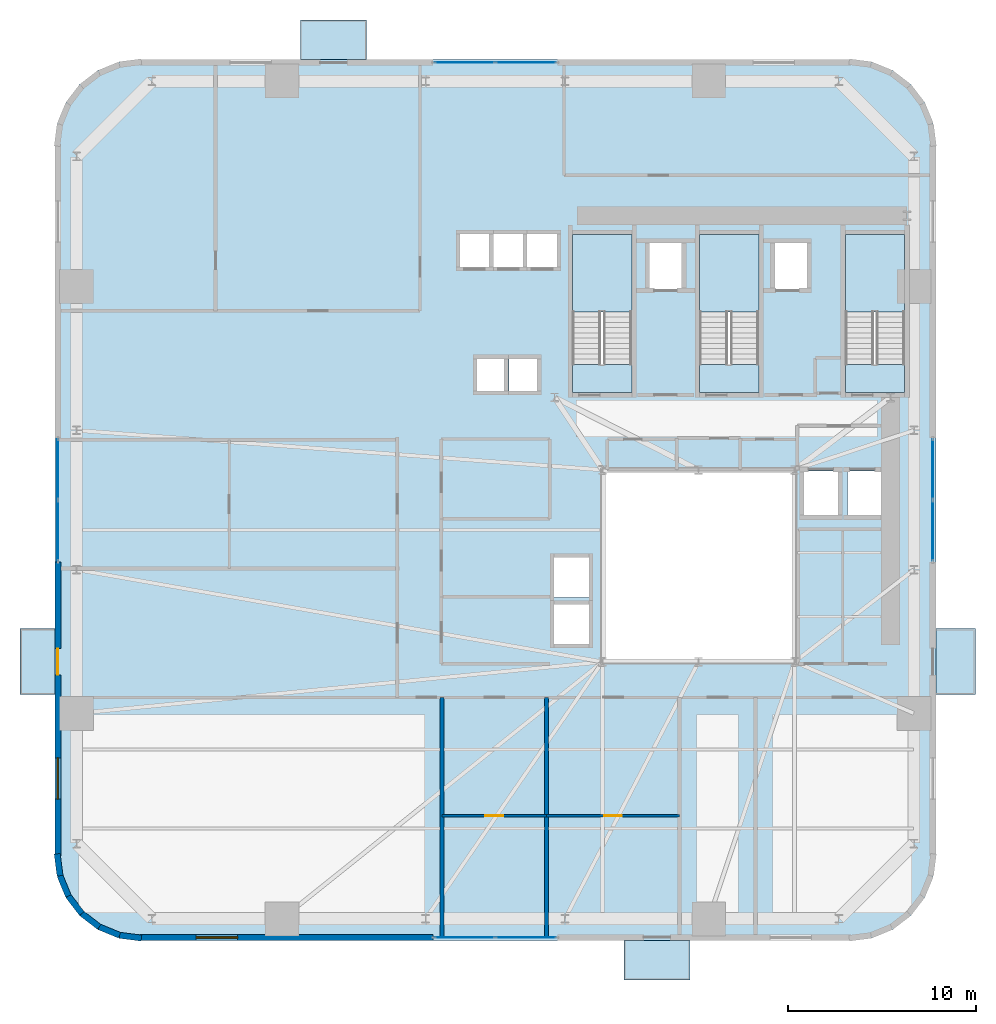
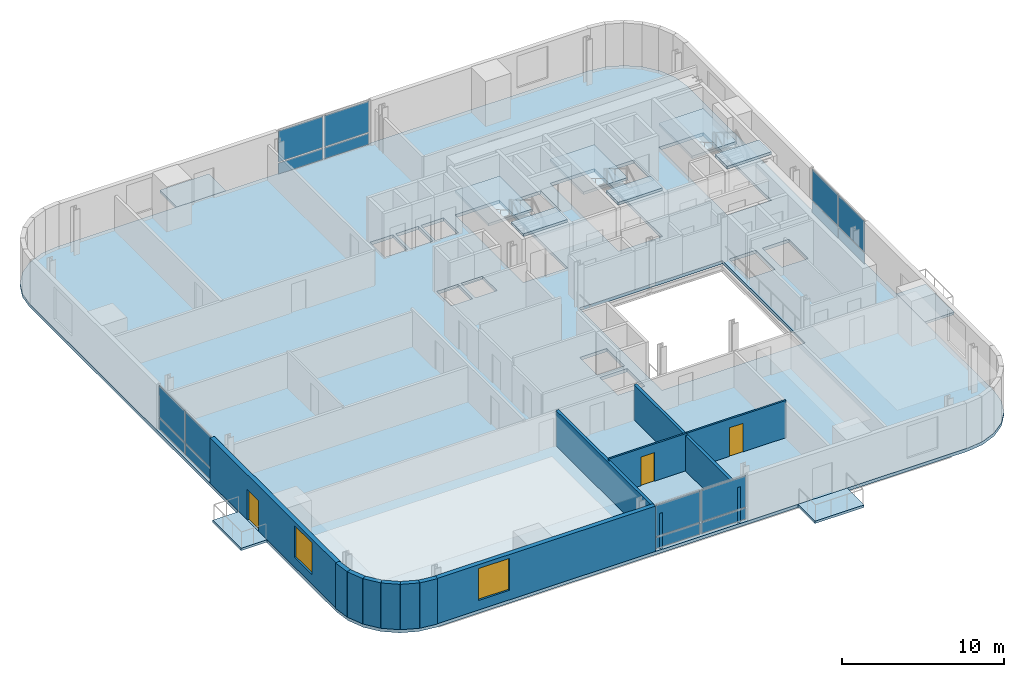
# One storey, part 5 of 13: 16 plates, 12 walls, 11 slabs, 3 doors, 2 windows, 5 openings, 7 elements without a shape of their own.
"""IFC4 building model written with IfcOpenShell, lengths in metres."""

from ifc_helpers import new_model, si_unit, direction, frame, frame_2d, origin, origin_2d, place, context, subcontext, project, spatial, polyline, rectangle, outline, extrude, source, transform, mapped, material, layer, layer_set, type_object, element, fill, aggregate, save


model = new_model("IFC4")

# Units and contexts
model_context = context("Model", 3, precision=1e-05, world=origin(), true_north=direction((0.0, 1.0)))
body_context = subcontext(model_context, "Body", "Model", "MODEL_VIEW")
ifc_project = project(units=[si_unit("LENGTHUNIT", "METRE"), si_unit("AREAUNIT", "SQUARE_METRE"), si_unit("VOLUMEUNIT", "CUBIC_METRE"), si_unit("PLANEANGLEUNIT", "RADIAN"), si_unit("MASSUNIT", "GRAM", prefix="KILO")], contexts=[model_context])

# Site, building, storey
site_placement = place(None, origin())
site = spatial("IfcSite", under=ifc_project, at=site_placement, CompositionType="ELEMENT")
building_placement = place(site_placement, origin())
building = spatial("IfcBuilding", under=site, at=building_placement, Name="Vardaveli Station Tower", CompositionType="ELEMENT")
storey_placement = place(building_placement, frame((0.0, 0.0, 67.75)))
storey = spatial("IfcBuildingStorey", under=building, at=storey_placement, Name="L17", CompositionType="ELEMENT", Elevation=67.75)

# Stair, slabs
ifc_material_1 = material(Name="Concrete C40/50", Category="concrete")
stair_type = type_object("IfcStairType", Name="STR-CORE-1500", PredefinedType="HALF_TURN_STAIR", material=ifc_material_1)
stair_1_placement = place(storey_placement, origin())
stair_1 = element("IfcStair", 1, at=stair_1_placement, inside=storey, type_object=stair_type, Name="L17 ST-1", PredefinedType="HALF_TURN_STAIR")
ifc_layer_1 = layer(ifc_material_1, 0.199951171875, Name="Concrete C40/50")
ifc_layer_set_1 = layer_set([ifc_layer_1], Name="Concrete C40/50")
slab_type_1 = type_object("IfcSlabType", Name="SLB-LAND-200", PredefinedType="LANDING", material=ifc_layer_set_1)
slab_1_placement = place(storey_placement, frame((0.0, 0.0, 1.625)))
slab_1 = element("IfcSlab", 2, at=slab_1_placement, type_object=slab_type_1, Name="ST-1 landing 1", PredefinedType="LANDING", context=body_context, shape_type="SweptSolid", body=[
    extrude(outline(polyline([(32.75, 35.199951171875), (32.75, 39.300048828125), (29.60009765625, 39.300048828125), (29.60009765625, 35.199951171875), (32.75, 35.199951171875)])), origin(), (0.0, 0.0, 1.0), 0.199951171875),
])
slab_2_placement = place(storey_placement, frame((0.0, 0.0, 3.449951171875)))
slab_2 = element("IfcSlab", 3, at=slab_2_placement, type_object=slab_type_1, Name="ST-1 landing 2", PredefinedType="LANDING", context=body_context, shape_type="SweptSolid", body=[
    extrude(outline(polyline([(32.75, 30.89990234375), (32.75, 32.39990234375), (29.60009765625, 32.39990234375), (29.60009765625, 30.89990234375), (32.75, 30.89990234375)])), origin(), (0.0, 0.0, 1.0), 0.199951171875),
])
aggregate(stair_1, [slab_1, slab_2])

stair_2_placement = place(storey_placement, origin())
stair_2 = element("IfcStair", 4, at=stair_2_placement, inside=storey, type_object=stair_type, Name="L17 ST-2", PredefinedType="HALF_TURN_STAIR")
slab_3_placement = place(storey_placement, frame((0.0, 0.0, 1.625)))
slab_3 = element("IfcSlab", 5, at=slab_3_placement, type_object=slab_type_1, Name="ST-2 landing 1", PredefinedType="LANDING", context=body_context, shape_type="SweptSolid", body=[
    extrude(outline(polyline([(39.5, 35.199951171875), (39.5, 39.300048828125), (36.35009765625, 39.300048828125), (36.35009765625, 35.199951171875), (39.5, 35.199951171875)])), origin(), (0.0, 0.0, 1.0), 0.199951171875),
])
slab_4_placement = place(storey_placement, frame((0.0, 0.0, 3.449951171875)))
slab_4 = element("IfcSlab", 6, at=slab_4_placement, type_object=slab_type_1, Name="ST-2 landing 2", PredefinedType="LANDING", context=body_context, shape_type="SweptSolid", body=[
    extrude(outline(polyline([(39.5, 30.89990234375), (39.5, 32.39990234375), (36.35009765625, 32.39990234375), (36.35009765625, 30.89990234375), (39.5, 30.89990234375)])), origin(), (0.0, 0.0, 1.0), 0.199951171875),
])
aggregate(stair_2, [slab_3, slab_4])

stair_3_placement = place(storey_placement, origin())
stair_3 = element("IfcStair", 7, at=stair_3_placement, inside=storey, type_object=stair_type, Name="L17 ST-3", PredefinedType="HALF_TURN_STAIR")
slab_5_placement = place(storey_placement, frame((0.0, 0.0, 1.625)))
slab_5 = element("IfcSlab", 8, at=slab_5_placement, type_object=slab_type_1, Name="ST-3 landing 1", PredefinedType="LANDING", context=body_context, shape_type="SweptSolid", body=[
    extrude(outline(polyline([(47.25, 35.199951171875), (47.25, 39.300048828125), (44.10009765625, 39.300048828125), (44.10009765625, 35.199951171875), (47.25, 35.199951171875)])), origin(), (0.0, 0.0, 1.0), 0.199951171875),
])
slab_6_placement = place(storey_placement, frame((0.0, 0.0, 3.449951171875)))
slab_6 = element("IfcSlab", 9, at=slab_6_placement, type_object=slab_type_1, Name="ST-3 landing 2", PredefinedType="LANDING", context=body_context, shape_type="SweptSolid", body=[
    extrude(outline(polyline([(47.25, 30.89990234375), (47.25, 32.39990234375), (44.10009765625, 32.39990234375), (44.10009765625, 30.89990234375), (47.25, 30.89990234375)])), origin(), (0.0, 0.0, 1.0), 0.199951171875),
])
aggregate(stair_3, [slab_5, slab_6])

# Slabs
ifc_material_2 = material(Name="Precast concrete C45/55", Category="concrete")
ifc_layer_2 = layer(ifc_material_2, 0.179931640625, Name="Precast concrete C45/55")
ifc_layer_set_2 = layer_set([ifc_layer_2], Name="Precast concrete C45/55")
slab_type_2 = type_object("IfcSlabType", Name="SLB-LOGGIA-180", PredefinedType="FLOOR", material=ifc_layer_set_2)
slab_7_placement = place(storey_placement, frame((0.0, 0.0, -0.179931640625)))
element("IfcSlab", 10, at=slab_7_placement, inside=storey, type_object=slab_type_2, Name="LOG-L17-S", PredefinedType="FLOOR", context=body_context, shape_type="SweptSolid", body=[
    extrude(outline(polyline([(32.339599609375, -0.300048828125), (35.839599609375, -0.300048828125), (35.839599609375, 1.800048828125), (32.339599609375, 1.800048828125), (32.339599609375, -0.300048828125)])), origin(), (0.0, 0.0, 1.0), 0.179931640625),
])
slab_8_placement = place(storey_placement, frame((0.0, 0.0, -0.179931640625)))
element("IfcSlab", 11, at=slab_8_placement, inside=storey, type_object=slab_type_2, Name="LOG-L17-N", PredefinedType="FLOOR", context=body_context, shape_type="SweptSolid", body=[
    extrude(outline(polyline([(15.160400390625, 48.60009765625), (18.660400390625, 48.60009765625), (18.660400390625, 50.699951171875), (15.160400390625, 50.699951171875), (15.160400390625, 48.60009765625)])), origin(), (0.0, 0.0, 1.0), 0.179931640625),
])
slab_9_placement = place(storey_placement, frame((0.0, 0.0, -0.179931640625)))
element("IfcSlab", 12, at=slab_9_placement, inside=storey, type_object=slab_type_2, Name="LOG-L17-W", PredefinedType="FLOOR", context=body_context, shape_type="SweptSolid", body=[
    extrude(outline(polyline([(0.25, 14.8603515625), (2.10009765625, 14.8603515625), (2.10009765625, 18.3603515625), (0.25, 18.3603515625), (0.25, 14.8603515625)])), origin(), (0.0, 0.0, 1.0), 0.179931640625),
])
slab_10_placement = place(storey_placement, frame((0.0, 0.0, -0.179931640625)))
element("IfcSlab", 13, at=slab_10_placement, inside=storey, type_object=slab_type_2, Name="LOG-L17-E", PredefinedType="FLOOR", context=body_context, shape_type="SweptSolid", body=[
    extrude(outline(polyline([(48.89990234375, 14.8603515625), (51.0, 14.8603515625), (51.0, 18.3603515625), (48.89990234375, 18.3603515625), (48.89990234375, 14.8603515625)])), origin(), (0.0, 0.0, 1.0), 0.179931640625),
])
ifc_layer_3 = layer(ifc_material_1, 0.239990234375, Name="Concrete C40/50")
ifc_layer_set_3 = layer_set([ifc_layer_3], Name="Concrete C40/50")
slab_type_3 = type_object("IfcSlabType", Name="SLB-TOW-240", PredefinedType="FLOOR", material=ifc_layer_set_3)
slab_11_placement = place(storey_placement, frame((0.0, 0.0, -0.239990234375)))
element("IfcSlab", 14, at=slab_11_placement, inside=storey, type_object=slab_type_3, Name="SLB-L17-MAIN", PredefinedType="FLOOR", context=body_context, shape_type="SweptSolid", body=[
    extrude(outline(polyline([(2.10009765625, 6.300048828125), (2.25341796875, 5.13525390625), (2.702880859375, 4.050048828125), (3.41796875, 3.117919921875), (4.35009765625, 2.40283203125), (5.435302734375, 1.953369140625), (6.60009765625, 1.800048828125), (44.39990234375, 1.800048828125), (45.564697265625, 1.953369140625), (46.64990234375, 2.40283203125), (47.58203125, 3.117919921875), (48.297119140625, 4.050048828125), (48.74658203125, 5.13525390625), (48.89990234375, 6.300048828125), (48.89990234375, 44.10009765625), (48.74658203125, 45.2646484375), (48.297119140625, 46.35009765625), (47.58203125, 47.281982421875), (46.64990234375, 47.9970703125), (45.564697265625, 48.44677734375), (44.39990234375, 48.60009765625), (6.60009765625, 48.60009765625), (5.435302734375, 48.44677734375), (4.35009765625, 47.9970703125), (3.41796875, 47.281982421875), (2.702880859375, 46.35009765625), (2.25341796875, 45.2646484375), (2.10009765625, 44.10009765625), (2.10009765625, 6.300048828125)]), holes=[polyline([(31.199951171875, 16.60009765625), (41.39990234375, 16.60009765625), (41.39990234375, 26.800048828125), (31.199951171875, 26.800048828125), (31.199951171875, 16.60009765625)]), polyline([(32.75, 30.89990234375), (32.75, 39.300048828125), (29.60009765625, 39.300048828125), (29.60009765625, 30.89990234375), (32.75, 30.89990234375)]), polyline([(39.5, 30.89990234375), (39.5, 39.300048828125), (36.35009765625, 39.300048828125), (36.35009765625, 30.89990234375), (39.5, 30.89990234375)]), polyline([(47.25, 30.89990234375), (47.25, 39.300048828125), (44.10009765625, 39.300048828125), (44.10009765625, 30.89990234375), (47.25, 30.89990234375)]), polyline([(23.5849609375, 37.534912109375), (25.215087890625, 37.534912109375), (25.215087890625, 39.364990234375), (23.5849609375, 39.364990234375), (23.5849609375, 37.534912109375)]), polyline([(25.385009765625, 37.534912109375), (27.014892578125, 37.534912109375), (27.014892578125, 39.364990234375), (25.385009765625, 39.364990234375), (25.385009765625, 37.534912109375)]), polyline([(27.18505859375, 37.534912109375), (28.81494140625, 37.534912109375), (28.81494140625, 39.364990234375), (27.18505859375, 39.364990234375), (27.18505859375, 37.534912109375)]), polyline([(33.659912109375, 36.409912109375), (35.43994140625, 36.409912109375), (35.43994140625, 38.889892578125), (33.659912109375, 38.889892578125), (33.659912109375, 36.409912109375)]), polyline([(40.31005859375, 36.409912109375), (42.090087890625, 36.409912109375), (42.090087890625, 38.889892578125), (40.31005859375, 38.889892578125), (40.31005859375, 36.409912109375)]), polyline([(24.485107421875, 30.9599609375), (26.014892578125, 30.9599609375), (26.014892578125, 32.739990234375), (24.485107421875, 32.739990234375), (24.485107421875, 30.9599609375)]), polyline([(26.235107421875, 30.9599609375), (27.764892578125, 30.9599609375), (27.764892578125, 32.739990234375), (26.235107421875, 32.739990234375), (26.235107421875, 30.9599609375)]), polyline([(28.5849609375, 17.510009765625), (30.514892578125, 17.510009765625), (30.514892578125, 19.68994140625), (28.5849609375, 19.68994140625), (28.5849609375, 17.510009765625)]), polyline([(28.5849609375, 20.010009765625), (30.514892578125, 20.010009765625), (30.514892578125, 22.18994140625), (28.5849609375, 22.18994140625), (28.5849609375, 20.010009765625)]), polyline([(41.860107421875, 24.360107421875), (43.739990234375, 24.360107421875), (43.739990234375, 26.739990234375), (41.860107421875, 26.739990234375), (41.860107421875, 24.360107421875)]), polyline([(44.2099609375, 24.360107421875), (46.090087890625, 24.360107421875), (46.090087890625, 26.739990234375), (44.2099609375, 26.739990234375), (44.2099609375, 24.360107421875)])]), origin(), (0.0, 0.0, 1.0), 0.239990234375),
])

# Curtain wall, plates
ifc_material_3 = material(Name="Travertine stone and solar-control glass", Category="masonry")
curtain_wall_type = type_object("IfcCurtainWallType", Name="CW-SYS-2", PredefinedType="NOTDEFINED", material=ifc_material_3)
curtain_wall_1_placement = place(storey_placement, origin())
curtain_wall_1 = element("IfcCurtainWall", 15, at=curtain_wall_1_placement, inside=storey, type_object=curtain_wall_type, Name="CW-L17-S", PredefinedType="NOTDEFINED")
ifc_material_4 = material(Name="Double-glazed low-E solar-control glass", Category="glass")
ifc_layer_4 = layer(ifc_material_4, 0.035888671875, Name="Double-glazed low-E solar-control glass")
ifc_layer_set_4 = layer_set([ifc_layer_4], Name="Double-glazed low-E solar-control glass")
plate_type = type_object("IfcPlateType", Name="CW-SYS-2-PAN", PredefinedType="CURTAIN_PANEL", material=ifc_layer_set_4)
shared_shape_1 = source(origin(), body_context, "Body", "SweptSolid", [
    extrude(rectangle(XDim=3.172607421875, YDim=0.035888671875, at=origin_2d()), origin(), (0.0, 0.0, 1.0), 0.822509765625),
])
plate_1_placement = place(storey_placement, frame((23.871337890625, 1.9599609375, 0.0849609375), z_axis=(0.0, 0.0, 1.0), x_axis=(1.0, 0.0, 0.0)))
plate_1 = element("IfcPlate", 16, at=plate_1_placement, type_object=plate_type, Name="CW-2 panel 1.1", PredefinedType="CURTAIN_PANEL", context=body_context, shape_type="MappedRepresentation", body=[
    mapped(shared_shape_1, transform((0.0, 0.0, 0.0), scale=1.0)),
])
plate_2_placement = place(storey_placement, frame((27.128662109375, 1.9599609375, 0.0849609375), z_axis=(0.0, 0.0, 1.0), x_axis=(1.0, 0.0, 0.0)))
plate_2 = element("IfcPlate", 17, at=plate_2_placement, type_object=plate_type, Name="CW-2 panel 2.1", PredefinedType="CURTAIN_PANEL", context=body_context, shape_type="MappedRepresentation", body=[
    mapped(shared_shape_1, transform((0.0, 0.0, 0.0), scale=1.0)),
])

curtain_wall_2_placement = place(storey_placement, origin())
curtain_wall_2 = element("IfcCurtainWall", 18, at=curtain_wall_2_placement, inside=storey, type_object=curtain_wall_type, Name="CW-L17-N", PredefinedType="NOTDEFINED")
plate_3_placement = place(storey_placement, frame((27.128662109375, 48.43994140625, 0.0849609375), z_axis=(0.0, 0.0, 1.0), x_axis=(-1.0, 0.0, 0.0)))
plate_3 = element("IfcPlate", 19, at=plate_3_placement, type_object=plate_type, Name="CW-2 panel 1.1", PredefinedType="CURTAIN_PANEL", context=body_context, shape_type="MappedRepresentation", body=[
    mapped(shared_shape_1, transform((0.0, 0.0, 0.0), scale=1.0)),
])
plate_4_placement = place(storey_placement, frame((23.871337890625, 48.43994140625, 0.0849609375), z_axis=(0.0, 0.0, 1.0), x_axis=(-1.0, 0.0, 0.0)))
plate_4 = element("IfcPlate", 20, at=plate_4_placement, type_object=plate_type, Name="CW-2 panel 2.1", PredefinedType="CURTAIN_PANEL", context=body_context, shape_type="MappedRepresentation", body=[
    mapped(shared_shape_1, transform((0.0, 0.0, 0.0), scale=1.0)),
])

curtain_wall_3_placement = place(storey_placement, origin())
curtain_wall_3 = element("IfcCurtainWall", 21, at=curtain_wall_3_placement, inside=storey, type_object=curtain_wall_type, Name="CW-L17-W", PredefinedType="NOTDEFINED")
plate_5_placement = place(storey_placement, frame((2.260009765625, 26.828857421875, 0.0849609375), z_axis=(0.0, 0.0, 1.0), x_axis=(0.0, -1.0, 0.0)))
plate_5 = element("IfcPlate", 22, at=plate_5_placement, type_object=plate_type, Name="CW-2 panel 1.1", PredefinedType="CURTAIN_PANEL", context=body_context, shape_type="MappedRepresentation", body=[
    mapped(shared_shape_1, transform((0.0, 0.0, 0.0), scale=1.0)),
])
plate_6_placement = place(storey_placement, frame((2.260009765625, 23.5712890625, 0.0849609375), z_axis=(0.0, 0.0, 1.0), x_axis=(0.0, -1.0, 0.0)))
plate_6 = element("IfcPlate", 23, at=plate_6_placement, type_object=plate_type, Name="CW-2 panel 2.1", PredefinedType="CURTAIN_PANEL", context=body_context, shape_type="MappedRepresentation", body=[
    mapped(shared_shape_1, transform((0.0, 0.0, 0.0), scale=1.0)),
])

curtain_wall_4_placement = place(storey_placement, origin())
curtain_wall_4 = element("IfcCurtainWall", 24, at=curtain_wall_4_placement, inside=storey, type_object=curtain_wall_type, Name="CW-L17-E", PredefinedType="NOTDEFINED")
plate_7_placement = place(storey_placement, frame((48.739990234375, 23.5712890625, 0.0849609375), z_axis=(0.0, 0.0, 1.0), x_axis=(0.0, 1.0, 0.0)))
plate_7 = element("IfcPlate", 25, at=plate_7_placement, type_object=plate_type, Name="CW-2 panel 1.1", PredefinedType="CURTAIN_PANEL", context=body_context, shape_type="MappedRepresentation", body=[
    mapped(shared_shape_1, transform((0.0, 0.0, 0.0), scale=1.0)),
])
plate_8_placement = place(storey_placement, frame((48.739990234375, 26.828857421875, 0.0849609375), z_axis=(0.0, 0.0, 1.0), x_axis=(0.0, 1.0, 0.0)))
plate_8 = element("IfcPlate", 26, at=plate_8_placement, type_object=plate_type, Name="CW-2 panel 2.1", PredefinedType="CURTAIN_PANEL", context=body_context, shape_type="MappedRepresentation", body=[
    mapped(shared_shape_1, transform((0.0, 0.0, 0.0), scale=1.0)),
])

# Plate
shared_shape_2 = source(origin(), body_context, "Body", "SweptSolid", [
    extrude(rectangle(XDim=3.172607421875, YDim=0.035888671875, at=origin_2d()), origin(), (0.0, 0.0, 1.0), 2.33251953125),
])
plate_9_placement = place(storey_placement, frame((23.871337890625, 1.9599609375, 0.992431640625), z_axis=(0.0, 0.0, 1.0), x_axis=(1.0, 0.0, 0.0)))
plate_9 = element("IfcPlate", 27, at=plate_9_placement, type_object=plate_type, Name="CW-2 panel 1.2", PredefinedType="CURTAIN_PANEL", context=body_context, shape_type="MappedRepresentation", body=[
    mapped(shared_shape_2, transform((0.0, 0.0, 0.0), scale=1.0)),
])

plate_10_placement = place(storey_placement, frame((27.128662109375, 1.9599609375, 0.992431640625), z_axis=(0.0, 0.0, 1.0), x_axis=(1.0, 0.0, 0.0)))
plate_10 = element("IfcPlate", 28, at=plate_10_placement, type_object=plate_type, Name="CW-2 panel 2.2", PredefinedType="CURTAIN_PANEL", context=body_context, shape_type="MappedRepresentation", body=[
    mapped(shared_shape_2, transform((0.0, 0.0, 0.0), scale=1.0)),
])

aggregate(curtain_wall_1, [plate_1, plate_9, plate_2, plate_10])

plate_11_placement = place(storey_placement, frame((27.128662109375, 48.43994140625, 0.992431640625), z_axis=(0.0, 0.0, 1.0), x_axis=(-1.0, 0.0, 0.0)))
plate_11 = element("IfcPlate", 29, at=plate_11_placement, type_object=plate_type, Name="CW-2 panel 1.2", PredefinedType="CURTAIN_PANEL", context=body_context, shape_type="MappedRepresentation", body=[
    mapped(shared_shape_2, transform((0.0, 0.0, 0.0), scale=1.0)),
])

plate_12_placement = place(storey_placement, frame((23.871337890625, 48.43994140625, 0.992431640625), z_axis=(0.0, 0.0, 1.0), x_axis=(-1.0, 0.0, 0.0)))
plate_12 = element("IfcPlate", 30, at=plate_12_placement, type_object=plate_type, Name="CW-2 panel 2.2", PredefinedType="CURTAIN_PANEL", context=body_context, shape_type="MappedRepresentation", body=[
    mapped(shared_shape_2, transform((0.0, 0.0, 0.0), scale=1.0)),
])

aggregate(curtain_wall_2, [plate_3, plate_11, plate_4, plate_12])

plate_13_placement = place(storey_placement, frame((2.260009765625, 26.828857421875, 0.992431640625), z_axis=(0.0, 0.0, 1.0), x_axis=(0.0, -1.0, 0.0)))
plate_13 = element("IfcPlate", 31, at=plate_13_placement, type_object=plate_type, Name="CW-2 panel 1.2", PredefinedType="CURTAIN_PANEL", context=body_context, shape_type="MappedRepresentation", body=[
    mapped(shared_shape_2, transform((0.0, 0.0, 0.0), scale=1.0)),
])

plate_14_placement = place(storey_placement, frame((2.260009765625, 23.5712890625, 0.992431640625), z_axis=(0.0, 0.0, 1.0), x_axis=(0.0, -1.0, 0.0)))
plate_14 = element("IfcPlate", 32, at=plate_14_placement, type_object=plate_type, Name="CW-2 panel 2.2", PredefinedType="CURTAIN_PANEL", context=body_context, shape_type="MappedRepresentation", body=[
    mapped(shared_shape_2, transform((0.0, 0.0, 0.0), scale=1.0)),
])

aggregate(curtain_wall_3, [plate_5, plate_13, plate_6, plate_14])

plate_15_placement = place(storey_placement, frame((48.739990234375, 23.5712890625, 0.992431640625), z_axis=(0.0, 0.0, 1.0), x_axis=(0.0, 1.0, 0.0)))
plate_15 = element("IfcPlate", 33, at=plate_15_placement, type_object=plate_type, Name="CW-2 panel 1.2", PredefinedType="CURTAIN_PANEL", context=body_context, shape_type="MappedRepresentation", body=[
    mapped(shared_shape_2, transform((0.0, 0.0, 0.0), scale=1.0)),
])

plate_16_placement = place(storey_placement, frame((48.739990234375, 26.828857421875, 0.992431640625), z_axis=(0.0, 0.0, 1.0), x_axis=(0.0, 1.0, 0.0)))
plate_16 = element("IfcPlate", 34, at=plate_16_placement, type_object=plate_type, Name="CW-2 panel 2.2", PredefinedType="CURTAIN_PANEL", context=body_context, shape_type="MappedRepresentation", body=[
    mapped(shared_shape_2, transform((0.0, 0.0, 0.0), scale=1.0)),
])

aggregate(curtain_wall_4, [plate_7, plate_15, plate_8, plate_16])

# Wall, opening, window
ifc_layer_5 = layer(ifc_material_2, 0.320068359375, Name="Precast concrete C45/55")
ifc_layer_set_5 = layer_set([ifc_layer_5], Name="Precast concrete C45/55")
wall_type_1 = type_object("IfcWallType", Name="WAL-EXT-STONE-320", PredefinedType="SOLIDWALL", material=ifc_layer_set_5)
shared_shape_3 = source(origin(), body_context, "Body", "SweptSolid", [
    extrude(rectangle(XDim=15.599853515625, YDim=0.320068359375, at=frame_2d((7.7998046875, 0.0))), origin(), (0.0, 0.0, 1.0), 3.409912109375),
])
wall_1_placement = place(storey_placement, frame((6.60009765625, 1.9599609375, 0.0), z_axis=(0.0, 0.0, 1.0), x_axis=(1.0, 0.0, 0.0)))
wall_1 = element("IfcWall", 35, at=wall_1_placement, inside=storey, type_object=wall_type_1, Name="EW-L17-S1", PredefinedType="SOLIDWALL", context=body_context, shape_type="MappedRepresentation", body=[
    mapped(shared_shape_3, transform((0.0, 0.0, 0.0), scale=1.0)),
])
shared_shape_4 = source(origin(), body_context, "Body", "SweptSolid", [
    extrude(rectangle(XDim=2.199951171875, YDim=2.39990234375, at=frame_2d((1.10009765625, 1.199951171875))), frame((0.0, 0.169921875, 0.0), z_axis=(0.0, -1.0, 0.0), x_axis=(1.0, 0.0, 0.0)), (0.0, 0.0, 1.0), 0.340087890625),
])
opening_1_placement = place(wall_1_placement, frame((3.0048828125, 0.0, 0.719970703125)))
opening_1 = element("IfcOpeningElement", 36, at=opening_1_placement, cuts=wall_1, Name="Opening W-03", PredefinedType="OPENING", context=body_context, shape_type="MappedRepresentation", body=[
    mapped(shared_shape_4, transform((0.0, 0.0, 0.0), scale=1.0)),
])
ifc_material_5 = material(Name="Low-E solar-control glass", Category="glass")
window_type = type_object("IfcWindowType", Name="WIN-LOG-2200x2400", PartitioningType="SINGLE_PANEL", PredefinedType="WINDOW", material=ifc_material_5)
shared_shape_5 = source(origin(), body_context, "Body", "SweptSolid", [
    extrude(rectangle(XDim=2.199951171875, YDim=2.39990234375, at=frame_2d((1.10009765625, 1.199951171875))), frame((0.0, 0.030029296875, 0.0), z_axis=(0.0, -1.0, 0.0), x_axis=(1.0, 0.0, 0.0)), (0.0, 0.0, 1.0), 0.06005859375),
])
window_1_placement = place(opening_1_placement, origin())
window_1 = element("IfcWindow", 37, at=window_1_placement, inside=storey, type_object=window_type, Name="WN-L17-S1", OverallHeight=2.39990234375, OverallWidth=2.199951171875, PartitioningType="SINGLE_PANEL", PredefinedType="WINDOW", context=body_context, shape_type="MappedRepresentation", body=[
    mapped(shared_shape_5, transform((0.0, 0.0, 0.0), scale=1.0)),
])
fill(opening_1, window_1)

# Wall, openings, door, window
wall_2_placement = place(storey_placement, frame((2.260009765625, 21.89990234375, 0.0), z_axis=(0.0, 0.0, 1.0), x_axis=(0.0, -1.0, 0.0)))
wall_2 = element("IfcWall", 38, at=wall_2_placement, inside=storey, type_object=wall_type_1, Name="EW-L17-W2", PredefinedType="SOLIDWALL", context=body_context, shape_type="MappedRepresentation", body=[
    mapped(shared_shape_3, transform((0.0, 0.0, 0.0), scale=1.0)),
])
shared_shape_6 = source(origin(), body_context, "Body", "SweptSolid", [
    extrude(rectangle(XDim=1.39990234375, YDim=2.300048828125, at=frame_2d((0.699951171875, 1.14990234375))), frame((0.0, 0.169921875, 0.0), z_axis=(0.0, -1.0, 0.0), x_axis=(1.0, 0.0, 0.0)), (0.0, 0.0, 1.0), 0.340087890625),
])
opening_2_placement = place(wall_2_placement, frame((4.589599609375, 0.0, 0.0)))
opening_2 = element("IfcOpeningElement", 39, at=opening_2_placement, cuts=wall_2, Name="Opening D-09", PredefinedType="OPENING", context=body_context, shape_type="MappedRepresentation", body=[
    mapped(shared_shape_6, transform((0.0, 0.0, 0.0), scale=1.0)),
])
opening_3_placement = place(wall_2_placement, frame((10.39501953125, 0.0, 0.719970703125)))
opening_3 = element("IfcOpeningElement", 40, at=opening_3_placement, cuts=wall_2, Name="Opening W-03", PredefinedType="OPENING", context=body_context, shape_type="MappedRepresentation", body=[
    mapped(shared_shape_4, transform((0.0, 0.0, 0.0), scale=1.0)),
])
ifc_material_6 = material(Name="Thermally broken aluminium glass", Category="aluminium")
door_type_1 = type_object("IfcDoorType", Name="DR-LOG-1400x2300", OperationType="DOUBLE_DOOR_SLIDING", PredefinedType="DOOR", material=ifc_material_6)
shared_shape_7 = source(origin(), body_context, "Body", "SweptSolid", [
    extrude(rectangle(XDim=1.39990234375, YDim=2.300048828125, at=frame_2d((0.699951171875, 1.14990234375))), frame((0.0, 0.02490234375, 0.0), z_axis=(0.0, -1.0, 0.0), x_axis=(1.0, 0.0, 0.0)), (0.0, 0.0, 1.0), 0.050048828125),
])
door_1_placement = place(opening_2_placement, frame((1.39990234375, 0.0, 0.0), z_axis=(0.0, 0.0, 1.0), x_axis=(-1.0, 0.0, 0.0)))
door_1 = element("IfcDoor", 41, at=door_1_placement, inside=storey, type_object=door_type_1, Name="DLG-L17-W", OperationType="DOUBLE_DOOR_SLIDING", OverallHeight=2.300048828125, OverallWidth=1.39990234375, PredefinedType="DOOR", context=body_context, shape_type="MappedRepresentation", body=[
    mapped(shared_shape_7, transform((0.0, 0.0, 0.0), scale=1.0)),
])
fill(opening_2, door_1)
window_2_placement = place(opening_3_placement, origin())
window_2 = element("IfcWindow", 42, at=window_2_placement, inside=storey, type_object=window_type, Name="WN-L17-W2", OverallHeight=2.39990234375, OverallWidth=2.199951171875, PartitioningType="SINGLE_PANEL", PredefinedType="WINDOW", context=body_context, shape_type="MappedRepresentation", body=[
    mapped(shared_shape_5, transform((0.0, 0.0, 0.0), scale=1.0)),
])
fill(opening_3, window_2)

# Walls
shared_shape_8 = source(origin(), body_context, "Body", "SweptSolid", [
    extrude(rectangle(XDim=1.170654296875, YDim=0.320068359375, at=frame_2d((0.58544921875, 0.0))), origin(), (0.0, 0.0, 1.0), 3.409912109375),
])
wall_3_placement = place(storey_placement, frame((2.224365234375, 6.400634765625, 0.0), z_axis=(0.0, 0.0, 1.0), x_axis=(0.128269133229, -0.991739395941, 0.0)))
element("IfcWall", 43, at=wall_3_placement, inside=storey, type_object=wall_type_1, Name="EW-L17-CR1-1", PredefinedType="SOLIDWALL", context=body_context, shape_type="MappedRepresentation", body=[
    mapped(shared_shape_8, transform((0.0, 0.0, 0.0), scale=1.0)),
])
shared_shape_9 = source(origin(), body_context, "Body", "SweptSolid", [
    extrude(rectangle(XDim=1.1689453125, YDim=0.320068359375, at=frame_2d((0.58447265625, 0.0))), origin(), (0.0, 0.0, 1.0), 3.409912109375),
])
for number, where, z_axis, x_axis, name in (
    (44, (2.37451171875, 5.23974609375, 0.0), (0.0, 0.0, 1.0), (0.381127904695, -0.924522320046, 0.0), "EW-L17-CR1-2"),
    (45, (2.820068359375, 4.158935546875, 0.0), (0.0, 0.0, 1.0), (0.608387696831, -0.793639975269, 0.0), "EW-L17-CR1-3"),
):
    element("IfcWall", number, at=place(storey_placement, frame(where, z_axis=z_axis, x_axis=x_axis)), inside=storey, type_object=wall_type_1, Name=name, PredefinedType="SOLIDWALL", context=body_context, shape_type="MappedRepresentation", body=[
        mapped(shared_shape_9, transform((0.0, 0.0, 0.0), scale=1.0)),
    ])
shared_shape_10 = source(origin(), body_context, "Body", "SweptSolid", [
    extrude(rectangle(XDim=1.168701171875, YDim=0.320068359375, at=frame_2d((0.58447265625, 0.0))), origin(), (0.0, 0.0, 1.0), 3.409912109375),
])
wall_4_placement = place(storey_placement, frame((3.53125, 3.231201171875, 0.0), z_axis=(0.0, 0.0, 1.0), x_axis=(0.793663520347, -0.608356981114, 0.0)))
element("IfcWall", 46, at=wall_4_placement, inside=storey, type_object=wall_type_1, Name="EW-L17-CR1-4", PredefinedType="SOLIDWALL", context=body_context, shape_type="MappedRepresentation", body=[
    mapped(shared_shape_10, transform((0.0, 0.0, 0.0), scale=1.0)),
])
shared_shape_11 = source(origin(), body_context, "Body", "SweptSolid", [
    extrude(rectangle(XDim=1.16943359375, YDim=0.320068359375, at=frame_2d((0.584716796875, 0.0))), origin(), (0.0, 0.0, 1.0), 3.409912109375),
])
wall_5_placement = place(storey_placement, frame((4.458740234375, 2.520263671875, 0.0), z_axis=(0.0, 0.0, 1.0), x_axis=(0.924479075121, -0.381232789334, 0.0)))
element("IfcWall", 47, at=wall_5_placement, inside=storey, type_object=wall_type_1, Name="EW-L17-CR1-5", PredefinedType="SOLIDWALL", context=body_context, shape_type="MappedRepresentation", body=[
    mapped(shared_shape_11, transform((0.0, 0.0, 0.0), scale=1.0)),
])
shared_shape_12 = source(origin(), body_context, "Body", "SweptSolid", [
    extrude(rectangle(XDim=1.170166015625, YDim=0.320068359375, at=frame_2d((0.5849609375, 0.0))), origin(), (0.0, 0.0, 1.0), 3.409912109375),
])
wall_6_placement = place(storey_placement, frame((5.539794921875, 2.074462890625, 0.0), z_axis=(0.0, 0.0, 1.0), x_axis=(0.991762485493, -0.128090485085, 0.0)))
element("IfcWall", 48, at=wall_6_placement, inside=storey, type_object=wall_type_1, Name="EW-L17-CR1-6", PredefinedType="SOLIDWALL", context=body_context, shape_type="MappedRepresentation", body=[
    mapped(shared_shape_12, transform((0.0, 0.0, 0.0), scale=1.0)),
])
ifc_material_7 = material(Name="Acoustic twin-stud gypsum partition")
ifc_layer_6 = layer(ifc_material_7, 0.199951171875, Name="Acoustic twin-stud gypsum partition")
ifc_layer_set_6 = layer_set([ifc_layer_6], Name="Acoustic twin-stud gypsum partition")
wall_type_2 = type_object("IfcWallType", Name="WAL-PARTY-200", PredefinedType="PARTITIONING", material=ifc_layer_set_6)
shared_shape_13 = source(origin(), body_context, "Body", "SweptSolid", [
    extrude(rectangle(XDim=12.780029296875, YDim=0.199951171875, at=frame_2d((6.39013671875, 0.0))), origin(), (0.0, 0.0, 1.0), 2.652099609375),
])
for number, where, z_axis, x_axis, name in (
    (49, (22.669921875, 1.929931640625, 0.0), (0.0, 0.0, 1.0), (0.0, 1.0, 0.0), "W-L17-PS1"),
    (50, (28.222900390625, 1.929931640625, 0.0), (0.0, 0.0, 1.0), (0.0, 1.0, 0.0), "W-L17-PS2"),
):
    element("IfcWall", number, at=place(storey_placement, frame(where, z_axis=z_axis, x_axis=x_axis)), inside=storey, type_object=wall_type_2, Name=name, PredefinedType="PARTITIONING", context=body_context, shape_type="MappedRepresentation", body=[
        mapped(shared_shape_13, transform((0.0, 0.0, 0.0), scale=1.0)),
    ])

# Wall, opening, door
ifc_material_8 = material(Name="Gypsum board stud partition")
ifc_layer_7 = layer(ifc_material_8, 0.125, Name="Gypsum board stud partition")
ifc_layer_set_7 = layer_set([ifc_layer_7], Name="Gypsum board stud partition")
wall_type_3 = type_object("IfcWallType", Name="WAL-INT-125", PredefinedType="PARTITIONING", material=ifc_layer_set_7)
shared_shape_14 = source(origin(), body_context, "Body", "SweptSolid", [
    extrude(rectangle(XDim=7.067138671875, YDim=0.125, at=frame_2d((3.53369140625, 0.0))), origin(), (0.0, 0.0, 1.0), 2.802001953125),
])
wall_7_placement = place(storey_placement, frame((28.222900390625, 8.429931640625, 0.0), z_axis=(0.0, 0.0, 1.0), x_axis=(1.0, 0.0, 0.0)))
wall_7 = element("IfcWall", 51, at=wall_7_placement, inside=storey, type_object=wall_type_3, Name="W-L17-SCM3", PredefinedType="PARTITIONING", context=body_context, shape_type="MappedRepresentation", body=[
    mapped(shared_shape_14, transform((0.0, 0.0, 0.0), scale=1.0)),
])
shared_shape_15 = source(origin(), body_context, "Body", "SweptSolid", [
    extrude(rectangle(XDim=0.949951171875, YDim=2.14990234375, at=frame_2d((0.47509765625, 1.074951171875))), frame((0.0, 0.072509765625, 0.0), z_axis=(0.0, -1.0, 0.0), x_axis=(1.0, 0.0, 0.0)), (0.0, 0.0, 1.0), 0.14501953125),
])
opening_4_placement = place(wall_7_placement, frame((3.05322265625, 0.0, 0.0)))
opening_4 = element("IfcOpeningElement", 52, at=opening_4_placement, cuts=wall_7, Name="Opening D-11", PredefinedType="OPENING", context=body_context, shape_type="MappedRepresentation", body=[
    mapped(shared_shape_15, transform((0.0, 0.0, 0.0), scale=1.0)),
])
ifc_material_9 = material(Name="Oak veneer internal suite door")
door_type_2 = type_object("IfcDoorType", Name="DR-INT-950x2150", OperationType="NOTDEFINED", PredefinedType="DOOR", material=ifc_material_9)
shared_shape_16 = source(origin(), body_context, "Body", "SweptSolid", [
    extrude(rectangle(XDim=0.949951171875, YDim=2.14990234375, at=frame_2d((0.47509765625, 1.074951171875))), frame((0.0, 0.02490234375, 0.0), z_axis=(0.0, -1.0, 0.0), x_axis=(1.0, 0.0, 0.0)), (0.0, 0.0, 1.0), 0.050048828125),
])
door_2_placement = place(opening_4_placement, origin())
door_2 = element("IfcDoor", 53, at=door_2_placement, inside=storey, type_object=door_type_2, Name="D-L17-SCF3", OperationType="SINGLE_SWING_LEFT", OverallHeight=2.14990234375, OverallWidth=0.949951171875, PredefinedType="DOOR", context=body_context, shape_type="MappedRepresentation", body=[
    mapped(shared_shape_16, transform((0.0, 0.0, 0.0), scale=1.0)),
])
fill(opening_4, door_2)

shared_shape_17 = source(origin(), body_context, "Body", "SweptSolid", [
    extrude(rectangle(XDim=5.552978515625, YDim=0.125, at=frame_2d((2.7763671875, 0.0))), origin(), (0.0, 0.0, 1.0), 2.802001953125),
])
wall_8_placement = place(storey_placement, frame((22.669921875, 8.429931640625, 0.0), z_axis=(0.0, 0.0, 1.0), x_axis=(1.0, 0.0, 0.0)))
wall_8 = element("IfcWall", 54, at=wall_8_placement, inside=storey, type_object=wall_type_3, Name="W-L17-SCM2", PredefinedType="PARTITIONING", context=body_context, shape_type="MappedRepresentation", body=[
    mapped(shared_shape_17, transform((0.0, 0.0, 0.0), scale=1.0)),
])
opening_5_placement = place(wall_8_placement, frame((2.296630859375, 0.0, 0.0)))
opening_5 = element("IfcOpeningElement", 55, at=opening_5_placement, cuts=wall_8, Name="Opening D-11", PredefinedType="OPENING", context=body_context, shape_type="MappedRepresentation", body=[
    mapped(shared_shape_15, transform((0.0, 0.0, 0.0), scale=1.0)),
])
door_3_placement = place(opening_5_placement, origin())
door_3 = element("IfcDoor", 56, at=door_3_placement, inside=storey, type_object=door_type_2, Name="D-L17-SCF2", OperationType="SINGLE_SWING_LEFT", OverallHeight=2.14990234375, OverallWidth=0.949951171875, PredefinedType="DOOR", context=body_context, shape_type="MappedRepresentation", body=[
    mapped(shared_shape_16, transform((0.0, 0.0, 0.0), scale=1.0)),
])
fill(opening_5, door_3)

save(model, "model.ifc")
